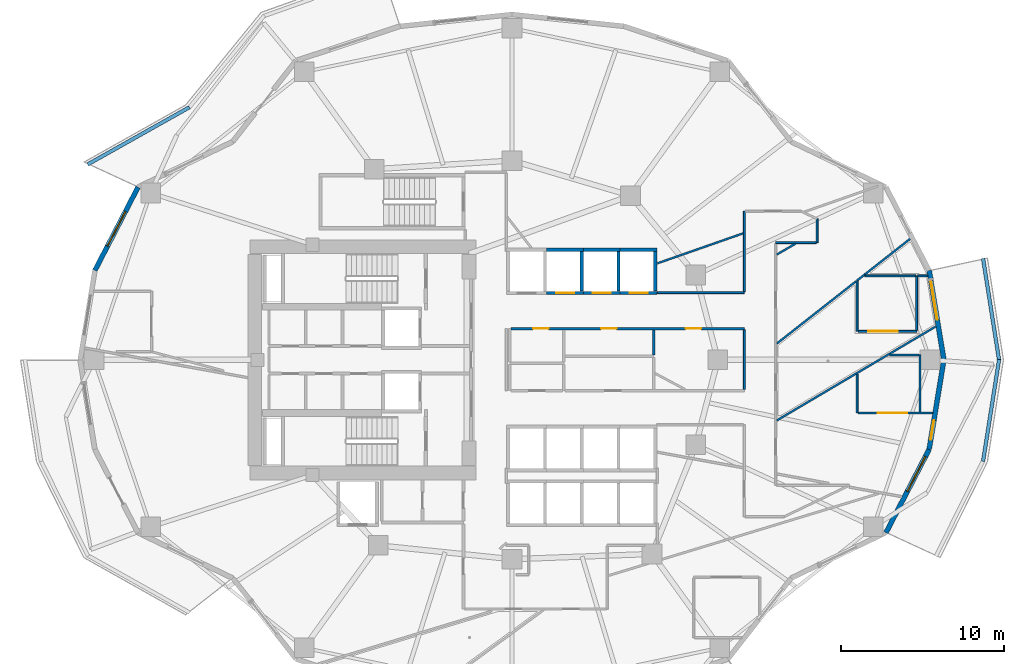
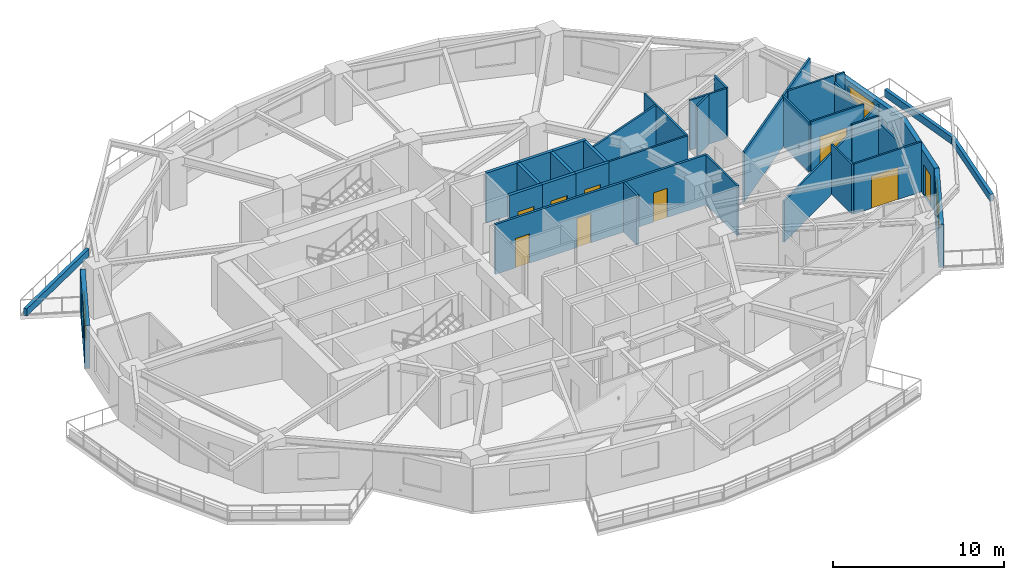
# One storey, part 6 of 16: 37 walls, 9 doors, 3 windows, 12 openings.
"""IFC4 building model written with IfcOpenShell, lengths in metres."""

import ifcopenshell
import ifcopenshell.guid

model = None  # the IFC model being written
_history = None  # IfcOwnerHistory: only IFC2X3 demands one
_inside = {}  # id of a spatial element -> (the spatial element, [elements in it])
_under = {}  # id of a project, library or spatial element -> (it, [spatial elements below it])
_declared = {}  # id of a project -> (the project, [libraries it declares])
_typed = {}  # id of a type object -> (the type object, [elements of that type])
_made_of = {}  # id of a material, layer set ... -> (it, [elements and type objects made of it])


def new_model(schema):
    """Start an empty IFC model of exactly this schema.

    Asked for "IFC4X3", IfcOpenShell would pick the latest addendum, in which some entities
    have other attributes; the version numbers below select the first issue.
    IFC2X3 requires an IfcOwnerHistory on every rooted entity: one is made here for all.
    """
    global model, _history
    if schema == "IFC4X3":
        model = ifcopenshell.file(schema_version=(4, 3, 0, 0))
    else:
        model = ifcopenshell.file(schema=schema)
    _inside.clear()
    _under.clear()
    _declared.clear()
    _typed.clear()
    _made_of.clear()
    _history = None
    if model.schema == "IFC2X3":
        org = make("IfcOrganization", Name="unknown")
        user = make(
            "IfcPersonAndOrganization",
            ThePerson=make("IfcPerson", FamilyName="unknown"),
            TheOrganization=org,
        )
        app = make(
            "IfcApplication",
            ApplicationDeveloper=org,
            Version="unknown",
            ApplicationFullName="unknown",
            ApplicationIdentifier="unknown",
        )
        _history = make(
            "IfcOwnerHistory",
            OwningUser=user,
            OwningApplication=app,
            ChangeAction="ADDED",
            CreationDate=0,
        )
    return model


def make(cls, **values):
    """One entity of the class cls with the attributes given. An attribute that is None is left unset."""
    return model.create_entity(
        cls, **{name: value for name, value in values.items() if value is not None}
    )


def rooted(cls, **values):
    """An entity with a GlobalId (a new one), such as an element, a storey or a relation."""
    return make(cls, GlobalId=ifcopenshell.guid.new(), OwnerHistory=_history, **values)


def si_unit(unit_type, name, prefix=None):
    """IfcSIUnit, for example si_unit("LENGTHUNIT", "METRE", prefix="MILLI")."""
    return make("IfcSIUnit", UnitType=unit_type, Prefix=prefix, Name=name)


def assignment(units):
    """IfcUnitAssignment: the units of a project."""
    return None if units is None else make("IfcUnitAssignment", Units=units)


def point(xyz):
    """IfcCartesianPoint."""
    return None if xyz is None else make("IfcCartesianPoint", Coordinates=xyz)


def direction(xyz):
    """IfcDirection."""
    return None if xyz is None else make("IfcDirection", DirectionRatios=xyz)


def frame(location, z_axis=None, x_axis=None):
    """IfcAxis2Placement3D, a coordinate frame: its origin and axes. An axis left out is left unset."""
    return make(
        "IfcAxis2Placement3D",
        Location=point(location),
        Axis=direction(z_axis),
        RefDirection=direction(x_axis),
    )


def frame_2d(location, x_axis=None):
    """IfcAxis2Placement2D, a coordinate frame in the plane: its origin and x axis."""
    return make(
        "IfcAxis2Placement2D", Location=point(location), RefDirection=direction(x_axis)
    )


def origin():
    """The frame at (0, 0, 0) with its axes left unset."""
    return frame((0.0, 0.0, 0.0))


def place(relative_to, where):
    """IfcLocalPlacement: puts the frame where relative to a parent placement (None: the world)."""
    return make(
        "IfcLocalPlacement", PlacementRelTo=relative_to, RelativePlacement=where
    )


def context(
    kind, dimensions, precision=None, world=None, true_north=None, identifier=None
):
    """IfcGeometricRepresentationContext, for example the 3D "Model" context."""
    return make(
        "IfcGeometricRepresentationContext",
        ContextIdentifier=identifier,
        ContextType=kind,
        CoordinateSpaceDimension=dimensions,
        Precision=precision,
        WorldCoordinateSystem=world,
        TrueNorth=true_north,
    )


def subcontext(parent, identifier, kind, view, scale=None):
    """IfcGeometricRepresentationSubContext, for example "Body" below "Model"."""
    return make(
        "IfcGeometricRepresentationSubContext",
        ContextIdentifier=identifier,
        ContextType=kind,
        ParentContext=parent,
        TargetScale=scale,
        TargetView=view,
    )


def project(units=None, contexts=None):
    """IfcProject with its units and contexts."""
    return rooted(
        "IfcProject",
        Name="project",
        RepresentationContexts=contexts,
        UnitsInContext=assignment(units),
    )


def spatial(cls, under=None, at=None, **own):
    """A site, building, storey or space (cls), placed at a placement, below another one or the project."""
    s = rooted(cls, ObjectPlacement=at, **own)
    if under is not None:
        _under.setdefault(under.id(), (under, []))[1].append(s)
    return s


def profile(cls, at=None, kind="AREA", **sizes):
    """A parametric profile (cls). Its sizes go by their IFC names, for example OverallWidth=200.0."""
    return make(cls, ProfileType=kind, Position=at, **sizes)


def rectangle(**sizes):
    """IfcRectangleProfileDef."""
    return profile("IfcRectangleProfileDef", **sizes)


def extrude(swept, where, along, depth):
    """IfcExtrudedAreaSolid: the profile swept, set in the frame where, extruded along a direction by depth."""
    return make(
        "IfcExtrudedAreaSolid",
        SweptArea=swept,
        Position=where,
        ExtrudedDirection=direction(along),
        Depth=depth,
    )


def shape(context_of_items, identifier, shape_type, items):
    """IfcShapeRepresentation: the items that make up one representation, for example the "Body"."""
    return make(
        "IfcShapeRepresentation",
        ContextOfItems=context_of_items,
        RepresentationIdentifier=identifier,
        RepresentationType=shape_type,
        Items=items,
    )


def material(Name=None, Category=None):
    """IfcMaterial."""
    return make("IfcMaterial", Name=Name, Category=Category)


def layer(
    of_material, thickness, ventilated=None, Name=None, Category=None, Priority=None
):
    """IfcMaterialLayer: one layer of a wall or slab, of a material (None: an air gap)."""
    return make(
        "IfcMaterialLayer",
        Material=of_material,
        LayerThickness=thickness,
        IsVentilated=ventilated,
        Name=Name,
        Category=Category,
        Priority=Priority,
    )


def layer_set(layers, Name=None):
    """IfcMaterialLayerSet."""
    return make("IfcMaterialLayerSet", MaterialLayers=layers, LayerSetName=Name)


def made_of(thing, what):
    """Note that an element or type object is made of a material, layer set ...; save() writes the relation."""
    if what is not None:
        _made_of.setdefault(what.id(), (what, []))[1].append(thing)
    return thing


def type_object(cls, material=None, **own):
    """A type object (cls), such as IfcWallType, which elements share."""
    return made_of(rooted(cls, **own), material)


def element(
    cls,
    number,
    at=None,
    inside=None,
    cuts=None,
    type_object=None,
    material=None,
    context=None,
    identifier="Body",
    shape_type=None,
    held_by="IfcProductDefinitionShape",
    body=None,
    shapes=None,
    **own,
):
    """One element of the class cls, such as IfcWall. Its Tag is "e" and its number.

    at: its placement. inside: the storey or other place that contains it. cuts: it is an
    opening in that element (IfcRelVoidsElement). A single representation is given by context,
    identifier, shape_type and body (its items); several are given by shapes. held_by: the class
    of the entity that holds the representations. save() writes the other relations.
    """
    e = rooted(cls, Tag="e%d" % number, ObjectPlacement=at, **own)
    if body is not None:
        shapes = [shape(context, identifier, shape_type, body)]
    if shapes is not None:
        e.Representation = make(held_by, Representations=shapes)
    if inside is not None:
        _inside.setdefault(inside.id(), (inside, []))[1].append(e)
    if cuts is not None:
        rooted(
            "IfcRelVoidsElement", RelatingBuildingElement=cuts, RelatedOpeningElement=e
        )
    if type_object is not None:
        _typed.setdefault(type_object.id(), (type_object, []))[1].append(e)
    return made_of(e, material)


def fill(opening, filler):
    """IfcRelFillsElement: the door or window that sits in an opening."""
    return rooted(
        "IfcRelFillsElement",
        RelatingOpeningElement=opening,
        RelatedBuildingElement=filler,
    )


def aggregate(whole, parts):
    """IfcRelAggregates: a whole, such as a stair, and the parts it consists of."""
    return rooted("IfcRelAggregates", RelatingObject=whole, RelatedObjects=parts)


def save(model, path):
    """Write the relations noted so far, then the file.

    IfcRelAggregates (storeys below a building ...), IfcRelContainedInSpatialStructure (elements
    in a storey), IfcRelDefinesByType, IfcRelAssociatesMaterial and IfcRelDeclares: one each for
    every whole, place, type object, material and project.
    """
    for whole, parts in _under.values():
        aggregate(whole, parts)
    for where, things in _inside.values():
        rooted(
            "IfcRelContainedInSpatialStructure",
            RelatedElements=things,
            RelatingStructure=where,
        )
    for kind, things in _typed.values():
        rooted("IfcRelDefinesByType", RelatedObjects=things, RelatingType=kind)
    for what, things in _made_of.values():
        rooted("IfcRelAssociatesMaterial", RelatedObjects=things, RelatingMaterial=what)
    for by, libraries in _declared.values():
        rooted("IfcRelDeclares", RelatingContext=by, RelatedDefinitions=libraries)
    model.write(path)


model = new_model("IFC4")

# Units and contexts
model_context = context("Model", 3, precision=1e-05, world=origin(), true_north=direction((0.0, 1.0)))
body_context = subcontext(model_context, "Body", "Model", "MODEL_VIEW")
ifc_project = project(units=[si_unit("LENGTHUNIT", "METRE"), si_unit("AREAUNIT", "SQUARE_METRE"), si_unit("VOLUMEUNIT", "CUBIC_METRE"), si_unit("PLANEANGLEUNIT", "RADIAN"), si_unit("MASSUNIT", "GRAM", prefix="KILO")], contexts=[model_context])

# Site, building, storey
site_placement = place(None, origin())
site = spatial("IfcSite", under=ifc_project, at=site_placement, CompositionType="ELEMENT")
building_placement = place(site_placement, origin())
building = spatial("IfcBuilding", under=site, at=building_placement, Name="Kolvaren Gate Tower and Convention Centre", CompositionType="ELEMENT")
storey_placement = place(building_placement, frame((0.0, 0.0, 65.0)))
storey = spatial("IfcBuildingStorey", under=building, at=storey_placement, Name="L15", CompositionType="ELEMENT", Elevation=65.0)

# Walls
ifc_material_1 = material(Name="Fire-Rated Acoustic Gypsum Stud Partition", Category="gypsum")
ifc_layer_1 = layer(ifc_material_1, 0.1201171875)
ifc_layer_set_1 = layer_set([ifc_layer_1], Name="Fire-Rated Acoustic Gypsum Stud Partition")
wall_type_1 = type_object("IfcWallType", Name="ARCH-WL-PART-120", PredefinedType="PARTITIONING", material=ifc_layer_set_1)
wall_1_placement = place(storey_placement, frame((39.02001953125, 31.1201171875, 0.0), z_axis=(0.0, 0.0, 1.0), x_axis=(1.0, 0.0, 0.0)))
element("IfcWall", 1, at=wall_1_placement, inside=storey, type_object=wall_type_1, Name="Interior Partition WL-L15-INT-031", PredefinedType="PARTITIONING", context=body_context, shape_type="SweptSolid", body=[
    extrude(rectangle(XDim=5.330078125, YDim=0.1201171875, at=frame_2d((2.6650390625, 0.0))), origin(), (0.0, 0.0, 1.0), 3.570068359375),
])
wall_2_placement = place(storey_placement, frame((44.35009765625, 25.197021484375, 0.0), z_axis=(0.0, 0.0, 1.0), x_axis=(0.0, 1.0, 0.0)))
element("IfcWall", 2, at=wall_2_placement, inside=storey, type_object=wall_type_1, Name="Interior Partition WL-L15-INT-033", PredefinedType="PARTITIONING", context=body_context, shape_type="SweptSolid", body=[
    extrude(rectangle(XDim=3.64599609375, YDim=0.1201171875, at=frame_2d((1.822998046875, 0.0))), origin(), (0.0, 0.0, 1.0), 3.570068359375),
])
wall_3_placement = place(storey_placement, frame((44.35009765625, 31.181884765625, 0.0), z_axis=(0.0, 0.0, 1.0), x_axis=(0.0, 1.0, 0.0)))
element("IfcWall", 3, at=wall_3_placement, inside=storey, type_object=wall_type_1, Name="Interior Partition WL-L15-INT-034", PredefinedType="PARTITIONING", context=body_context, shape_type="SweptSolid", body=[
    extrude(rectangle(XDim=4.918212890625, YDim=0.1201171875, at=frame_2d((2.458984375, 0.0))), origin(), (0.0, 0.0, 1.0), 3.570068359375),
])
wall_4_placement = place(storey_placement, frame((48.800048828125, 34.179931640625, 0.0), z_axis=(0.0, 0.0, 1.0), x_axis=(0.0, 1.0, 0.0)))
element("IfcWall", 4, at=wall_4_placement, inside=storey, type_object=wall_type_1, Name="Interior Partition WL-L15-INT-037", PredefinedType="PARTITIONING", context=body_context, shape_type="SweptSolid", body=[
    extrude(rectangle(XDim=1.451171875, YDim=0.1201171875, at=frame_2d((0.7255859375, 0.0))), origin(), (0.0, 0.0, 1.0), 3.570068359375),
])
wall_5_placement = place(storey_placement, frame((46.27001953125, 34.179931640625, 0.0), z_axis=(0.0, 0.0, 1.0), x_axis=(1.0, 0.0, 0.0)))
element("IfcWall", 5, at=wall_5_placement, inside=storey, type_object=wall_type_1, Name="Interior Partition WL-L15-INT-038", PredefinedType="PARTITIONING", context=body_context, shape_type="SweptSolid", body=[
    extrude(rectangle(XDim=2.468017578125, YDim=0.1201171875, at=frame_2d((1.23388671875, 0.0))), origin(), (0.0, 0.0, 1.0), 3.570068359375),
])
wall_6_placement = place(storey_placement, frame((46.33203125, 23.290283203125, 0.0), z_axis=(0.0, 0.0, 1.0), x_axis=(0.860842745888, 0.508871070953, 0.0)))
element("IfcWall", 6, at=wall_6_placement, inside=storey, type_object=wall_type_1, Name="Interior Partition WL-L15-INT-059", PredefinedType="PARTITIONING", context=body_context, shape_type="SweptSolid", body=[
    extrude(rectangle(XDim=11.31396484375, YDim=0.1201171875, at=frame_2d((5.656982421875, 0.0))), origin(), (0.0, 0.0, 1.0), 2.93408203125),
])
wall_7_placement = place(storey_placement, frame((51.25, 23.75, 0.0), z_axis=(0.0, 0.0, 1.0), x_axis=(0.0, 1.0, 0.0)))
element("IfcWall", 7, at=wall_7_placement, inside=storey, type_object=wall_type_1, Name="Interior Partition WL-L15-INT-060", PredefinedType="PARTITIONING", context=body_context, shape_type="SweptSolid", body=[
    extrude(rectangle(XDim=2.37548828125, YDim=0.1201171875, at=frame_2d((1.187744140625, 0.0))), origin(), (0.0, 0.0, 1.0), 3.570068359375),
])
wall_8_placement = place(storey_placement, frame((51.25, 28.75, 0.0), z_axis=(0.0, 0.0, 1.0), x_axis=(0.0, 1.0, 0.0)))
element("IfcWall", 8, at=wall_8_placement, inside=storey, type_object=wall_type_1, Name="Interior Partition WL-L15-INT-061", PredefinedType="PARTITIONING", context=body_context, shape_type="SweptSolid", body=[
    extrude(rectangle(XDim=3.110107421875, YDim=0.1201171875, at=frame_2d((1.55517578125, 0.0))), origin(), (0.0, 0.0, 1.0), 3.570068359375),
])

# Wall, opening, door
wall_9_placement = place(storey_placement, frame((51.31201171875, 23.75, 0.0), z_axis=(0.0, 0.0, 1.0), x_axis=(1.0, 0.0, 0.0)))
wall_9 = element("IfcWall", 9, at=wall_9_placement, inside=storey, type_object=wall_type_1, Name="Interior Partition WL-L15-INT-062", PredefinedType="PARTITIONING", context=body_context, shape_type="SweptSolid", body=[
    extrude(rectangle(XDim=4.5615234375, YDim=0.1201171875, at=frame_2d((2.28076171875, 0.0))), origin(), (0.0, 0.0, 1.0), 3.570068359375),
])
opening_1_placement = place(wall_9_placement, frame((1.198974609375, 0.0, 0.0)))
opening_1 = element("IfcOpeningElement", 10, at=opening_1_placement, cuts=wall_9, Name="Opening DH-01", PredefinedType="OPENING", context=body_context, shape_type="SweptSolid", body=[
    extrude(rectangle(XDim=1.800048828125, YDim=2.300048828125, at=frame_2d((0.89990234375, 1.14990234375))), frame((0.0, 0.070068359375, 0.0), z_axis=(0.0, -1.0, 0.0), x_axis=(1.0, 0.0, 0.0)), (0.0, 0.0, 1.0), 0.14013671875),
])
ifc_material_2 = material(Name="FSC Andean Oak Engineered Veneer Door Leaf", Category="wood")
door_type_1 = type_object("IfcDoorType", Name="ARCH-DR-HALL-1800", OperationType="DOUBLE_DOOR_SINGLE_SWING", PredefinedType="DOOR", material=ifc_material_2)
door_1_placement = place(opening_1_placement, origin())
door_1 = element("IfcDoor", 11, at=door_1_placement, inside=storey, type_object=door_type_1, Name="Consultation Meeting Room Door", OperationType="DOUBLE_DOOR_SINGLE_SWING", OverallHeight=2.300048828125, OverallWidth=1.800048828125, PredefinedType="DOOR", context=body_context, shape_type="SweptSolid", body=[
    extrude(rectangle(XDim=1.800048828125, YDim=2.300048828125, at=frame_2d((0.89990234375, 1.14990234375))), frame((0.0, 0.02490234375, 0.0), z_axis=(0.0, -1.0, 0.0), x_axis=(1.0, 0.0, 0.0)), (0.0, 0.0, 1.0), 0.050048828125),
])
fill(opening_1, door_1)

# Walls
wall_10_placement = place(storey_placement, frame((55.10009765625, 23.81201171875, 0.0), z_axis=(0.0, 0.0, 1.0), x_axis=(0.0, 1.0, 0.0)))
element("IfcWall", 12, at=wall_10_placement, inside=storey, type_object=wall_type_1, Name="Interior Partition WL-L15-INT-063", PredefinedType="PARTITIONING", context=body_context, shape_type="SweptSolid", body=[
    extrude(rectangle(XDim=3.488037109375, YDim=0.1201171875, at=frame_2d((1.744140625, 0.0))), origin(), (0.0, 0.0, 1.0), 3.093017578125),
])
wall_11_placement = place(storey_placement, frame((53.23681640625, 27.300048828125, 0.0), z_axis=(0.0, 0.0, 1.0), x_axis=(1.0, 0.0, 0.0)))
element("IfcWall", 13, at=wall_11_placement, inside=storey, type_object=wall_type_1, Name="Interior Partition WL-L15-INT-064", PredefinedType="PARTITIONING", context=body_context, shape_type="SweptSolid", body=[
    extrude(rectangle(XDim=1.80126953125, YDim=0.1201171875, at=frame_2d((0.900634765625, 0.0))), origin(), (0.0, 0.0, 1.0), 3.570068359375),
])
wall_12_placement = place(storey_placement, frame((46.33203125, 27.99560546875, 0.0), z_axis=(0.0, 0.0, 1.0), x_axis=(0.786296389823, 0.617849486, 0.0)))
element("IfcWall", 14, at=wall_12_placement, inside=storey, type_object=wall_type_1, Name="Interior Partition WL-L15-INT-066", PredefinedType="PARTITIONING", context=body_context, shape_type="SweptSolid", body=[
    extrude(rectangle(XDim=6.17578125, YDim=0.1201171875, at=frame_2d((3.087890625, 0.0))), origin(), (0.0, 0.0, 1.0), 3.570068359375),
])
wall_13_placement = place(storey_placement, frame((51.25, 31.860107421875, 0.0), z_axis=(0.0, 0.0, 1.0), x_axis=(0.786318338822, 0.617821551932, 0.0)))
element("IfcWall", 15, at=wall_13_placement, inside=storey, type_object=wall_type_1, Name="Interior Partition WL-L15-INT-066 (2)", PredefinedType="PARTITIONING", context=body_context, shape_type="SweptSolid", body=[
    extrude(rectangle(XDim=4.120849609375, YDim=0.1201171875, at=frame_2d((2.060546875, 0.0))), origin(), (0.0, 0.0, 1.0), 3.570068359375),
])

# Wall, opening, door
wall_14_placement = place(storey_placement, frame((51.31201171875, 28.75, 0.0), z_axis=(0.0, 0.0, 1.0), x_axis=(1.0, 0.0, 0.0)))
wall_14 = element("IfcWall", 16, at=wall_14_placement, inside=storey, type_object=wall_type_1, Name="Interior Partition WL-L15-INT-067", PredefinedType="PARTITIONING", context=body_context, shape_type="SweptSolid", body=[
    extrude(rectangle(XDim=3.587890625, YDim=0.1201171875, at=frame_2d((1.7939453125, 0.0))), origin(), (0.0, 0.0, 1.0), 3.570068359375),
])
opening_2_placement = place(wall_14_placement, frame((0.614013671875, 0.0, 0.0)))
opening_2 = element("IfcOpeningElement", 17, at=opening_2_placement, cuts=wall_14, Name="Opening DH-01", PredefinedType="OPENING", context=body_context, shape_type="SweptSolid", body=[
    extrude(rectangle(XDim=1.800048828125, YDim=2.300048828125, at=frame_2d((0.89990234375, 1.14990234375))), frame((0.0, 0.070068359375, 0.0), z_axis=(0.0, -1.0, 0.0), x_axis=(1.0, 0.0, 0.0)), (0.0, 0.0, 1.0), 0.14013671875),
])
door_2_placement = place(opening_2_placement, origin())
door_2 = element("IfcDoor", 18, at=door_2_placement, inside=storey, type_object=door_type_1, Name="Consultation Meeting Room Door", OperationType="DOUBLE_DOOR_SINGLE_SWING", OverallHeight=2.300048828125, OverallWidth=1.800048828125, PredefinedType="DOOR", context=body_context, shape_type="SweptSolid", body=[
    extrude(rectangle(XDim=1.800048828125, YDim=2.300048828125, at=frame_2d((0.89990234375, 1.14990234375))), frame((0.0, 0.02490234375, 0.0), z_axis=(0.0, -1.0, 0.0), x_axis=(1.0, 0.0, 0.0)), (0.0, 0.0, 1.0), 0.050048828125),
])
fill(opening_2, door_2)

# Walls
wall_15_placement = place(storey_placement, frame((54.89990234375, 28.81201171875, 0.0), z_axis=(0.0, 0.0, 1.0), x_axis=(0.0, 1.0, 0.0)))
element("IfcWall", 19, at=wall_15_placement, inside=storey, type_object=wall_type_1, Name="Interior Partition WL-L15-INT-068", PredefinedType="PARTITIONING", context=body_context, shape_type="SweptSolid", body=[
    extrude(rectangle(XDim=3.337890625, YDim=0.1201171875, at=frame_2d((1.6689453125, 0.0))), origin(), (0.0, 0.0, 1.0), 3.093017578125),
])
wall_16_placement = place(storey_placement, frame((51.719482421875, 32.14990234375, 0.0), z_axis=(0.0, 0.0, 1.0), x_axis=(1.0, 0.0, 0.0)))
element("IfcWall", 20, at=wall_16_placement, inside=storey, type_object=wall_type_1, Name="Interior Partition WL-L15-INT-069", PredefinedType="PARTITIONING", context=body_context, shape_type="SweptSolid", body=[
    extrude(rectangle(XDim=3.118408203125, YDim=0.1201171875, at=frame_2d((1.55908203125, 0.0))), origin(), (0.0, 0.0, 1.0), 3.570068359375),
])
wall_17_placement = place(storey_placement, frame((54.9619140625, 32.14990234375, 0.0), z_axis=(0.0, 0.0, 1.0), x_axis=(1.0, 0.0, 0.0)))
element("IfcWall", 21, at=wall_17_placement, inside=storey, type_object=wall_type_1, Name="Interior Partition WL-L15-INT-069 (2)", PredefinedType="PARTITIONING", context=body_context, shape_type="SweptSolid", body=[
    extrude(rectangle(XDim=0.59912109375, YDim=0.1201171875, at=frame_2d((0.299560546875, 0.0))), origin(), (0.0, 0.0, 1.0), 3.570068359375),
])
wall_18_placement = place(storey_placement, frame((46.33203125, 33.44970703125, 0.0), z_axis=(0.0, 0.0, 1.0), x_axis=(0.866042617247, 0.499970184224, 0.0)))
element("IfcWall", 22, at=wall_18_placement, inside=storey, type_object=wall_type_1, Name="Interior Partition WL-L15-INT-070", PredefinedType="PARTITIONING", context=body_context, shape_type="SweptSolid", body=[
    extrude(rectangle(XDim=1.33642578125, YDim=0.1201171875, at=frame_2d((0.668212890625, 0.0))), origin(), (0.0, 0.0, 1.0), 3.570068359375),
])
wall_19_placement = place(storey_placement, frame((39.02001953125, 32.90771484375, 0.0), z_axis=(0.0, 0.0, 1.0), x_axis=(0.943794240421, 0.330533556162, 0.0)))
element("IfcWall", 23, at=wall_19_placement, inside=storey, type_object=wall_type_1, Name="Interior Partition WL-L15-INT-071", PredefinedType="PARTITIONING", context=body_context, shape_type="SweptSolid", body=[
    extrude(rectangle(XDim=5.581787109375, YDim=0.1201171875, at=frame_2d((2.791015625, 0.0))), origin(), (0.0, 0.0, 1.0), 3.570068359375),
])
ifc_material_3 = material(Name="Piedmont Cream Honed Limestone Cladding", Category="masonry")
ifc_layer_2 = layer(ifc_material_3, 0.219970703125)
ifc_layer_set_2 = layer_set([ifc_layer_2], Name="Piedmont Cream Honed Limestone Cladding")
wall_type_2 = type_object("IfcWallType", Name="ARCH-WL-PLANTER-220", PredefinedType="PARAPET", material=ifc_layer_set_2)
wall_20_placement = place(storey_placement, frame((4.14697265625, 38.965576171875, 0.0), z_axis=(0.0, 0.0, 1.0), x_axis=(0.871775109335, 0.489906275468, 0.0)))
element("IfcWall", 24, at=wall_20_placement, inside=storey, type_object=wall_type_2, Name="Vertical-Forest Balcony Stone Planter Kerb PK-L15-1.3", PredefinedType="PARAPET", context=body_context, shape_type="SweptSolid", body=[
    extrude(rectangle(XDim=7.152099609375, YDim=0.219970703125, at=frame_2d((3.576171875, 0.0))), origin(), (0.0, 0.0, 1.0), 0.52001953125),
])
for number, where, z_axis, x_axis, name in (
    (25, (58.9619140625, 20.7880859375, 0.0), (0.0, 0.0, 1.0), (0.15545655238, 0.987842730561, 0.0), "Vertical-Forest Balcony Stone Planter Kerb PK-L15-4.2"),
    (26, (58.9619140625, 33.2119140625, 0.0), (0.0, 0.0, 1.0), (0.15545655238, -0.987842730561, 0.0), "Vertical-Forest Balcony Stone Planter Kerb PK-L15-4.3"),
):
    element("IfcWall", number, at=place(storey_placement, frame(where, z_axis=z_axis, x_axis=x_axis)), inside=storey, type_object=wall_type_2, Name=name, PredefinedType="PARAPET", context=body_context, shape_type="SweptSolid", body=[
        extrude(rectangle(XDim=6.318115234375, YDim=0.219970703125, at=frame_2d((3.1591796875, 0.0))), origin(), (0.0, 0.0, 1.0), 0.52001953125),
    ])
ifc_material_4 = material(Name="Autoclaved Aerated Masonry Blockwork Class 4 (4.0 MPa)", Category="masonry")
ifc_layer_3 = layer(ifc_material_4, 0.199951171875)
ifc_layer_set_3 = layer_set([ifc_layer_3], Name="Autoclaved Aerated Masonry Blockwork Class 4 (4.0 MPa)")
wall_type_3 = type_object("IfcWallType", Name="ARCH-WL-SHAFT-200", PredefinedType="SOLIDWALL", material=ifc_layer_set_3)
wall_21_placement = place(storey_placement, frame((32.25, 33.75, 0.0), z_axis=(0.0, 0.0, 1.0), x_axis=(1.0, 0.0, 0.0)))
element("IfcWall", 27, at=wall_21_placement, inside=storey, type_object=wall_type_3, Name="Elevator PL-02 L15 Fire Shaft Wall N", PredefinedType="SOLIDWALL", context=body_context, shape_type="SweptSolid", body=[
    extrude(rectangle(XDim=2.25, YDim=0.199951171875, at=frame_2d((1.125, 0.0))), origin(), (0.0, 0.0, 1.0), 3.570068359375),
])

# Wall, opening, door
wall_22_placement = place(storey_placement, frame((32.25, 31.10009765625, 0.0), z_axis=(0.0, 0.0, 1.0), x_axis=(1.0, 0.0, 0.0)))
wall_22 = element("IfcWall", 28, at=wall_22_placement, inside=storey, type_object=wall_type_3, Name="Elevator PL-02 L15 Fire Shaft Wall S", PredefinedType="SOLIDWALL", context=body_context, shape_type="SweptSolid", body=[
    extrude(rectangle(XDim=2.25, YDim=0.199951171875, at=frame_2d((1.125, 0.0))), origin(), (0.0, 0.0, 1.0), 3.570068359375),
])
opening_3_placement = place(wall_22_placement, frame((0.574951171875, 0.0, 0.0)))
opening_3 = element("IfcOpeningElement", 29, at=opening_3_placement, cuts=wall_22, Name="Opening LD", PredefinedType="OPENING", context=body_context, shape_type="SweptSolid", body=[
    extrude(rectangle(XDim=1.10009765625, YDim=2.199951171875, at=frame_2d((0.550048828125, 1.10009765625))), frame((0.0, 0.10986328125, 0.0), z_axis=(0.0, -1.0, 0.0), x_axis=(1.0, 0.0, 0.0)), (0.0, 0.0, 1.0), 0.219970703125),
])
ifc_material_5 = material(Name="Brushed Stainless Steel Grade 316L", Category="steel")
door_type_2 = type_object("IfcDoorType", Name="ARCH-DR-LIFT-1100", OperationType="SLIDING_TO_LEFT", PredefinedType="DOOR", material=ifc_material_5)
door_3_placement = place(opening_3_placement, origin())
door_3 = element("IfcDoor", 30, at=door_3_placement, inside=storey, type_object=door_type_2, Name="Elevator PL-02 L15 Sliding Landing Door", OperationType="SLIDING_TO_LEFT", OverallHeight=2.199951171875, OverallWidth=1.10009765625, PredefinedType="DOOR", context=body_context, shape_type="SweptSolid", body=[
    extrude(rectangle(XDim=1.10009765625, YDim=2.199951171875, at=frame_2d((0.550048828125, 1.10009765625))), frame((0.0, 0.02490234375, 0.0), z_axis=(0.0, -1.0, 0.0), x_axis=(1.0, 0.0, 0.0)), (0.0, 0.0, 1.0), 0.050048828125),
])
fill(opening_3, door_3)

# Walls
wall_23_placement = place(storey_placement, frame((34.39990234375, 31.2099609375, 0.0), z_axis=(0.0, 0.0, 1.0), x_axis=(0.0, 1.0, 0.0)))
element("IfcWall", 31, at=wall_23_placement, inside=storey, type_object=wall_type_3, Name="Elevator PL-02 L15 Fire Shaft Wall E", PredefinedType="SOLIDWALL", context=body_context, shape_type="SweptSolid", body=[
    extrude(rectangle(XDim=2.429931640625, YDim=0.199951171875, at=frame_2d((1.21484375, 0.0))), origin(), (0.0, 0.0, 1.0), 3.570068359375),
])
wall_24_placement = place(storey_placement, frame((34.5, 33.75, 0.0), z_axis=(0.0, 0.0, 1.0), x_axis=(1.0, 0.0, 0.0)))
element("IfcWall", 32, at=wall_24_placement, inside=storey, type_object=wall_type_3, Name="Elevator PL-03 L15 Fire Shaft Wall N", PredefinedType="SOLIDWALL", context=body_context, shape_type="SweptSolid", body=[
    extrude(rectangle(XDim=2.25, YDim=0.199951171875, at=frame_2d((1.125, 0.0))), origin(), (0.0, 0.0, 1.0), 3.570068359375),
])

# Wall, opening, door
wall_25_placement = place(storey_placement, frame((34.5, 31.10009765625, 0.0), z_axis=(0.0, 0.0, 1.0), x_axis=(1.0, 0.0, 0.0)))
wall_25 = element("IfcWall", 33, at=wall_25_placement, inside=storey, type_object=wall_type_3, Name="Elevator PL-03 L15 Fire Shaft Wall S", PredefinedType="SOLIDWALL", context=body_context, shape_type="SweptSolid", body=[
    extrude(rectangle(XDim=2.25, YDim=0.199951171875, at=frame_2d((1.125, 0.0))), origin(), (0.0, 0.0, 1.0), 3.570068359375),
])
opening_4_placement = place(wall_25_placement, frame((0.574951171875, 0.0, 0.0)))
opening_4 = element("IfcOpeningElement", 34, at=opening_4_placement, cuts=wall_25, Name="Opening LD", PredefinedType="OPENING", context=body_context, shape_type="SweptSolid", body=[
    extrude(rectangle(XDim=1.10009765625, YDim=2.199951171875, at=frame_2d((0.550048828125, 1.10009765625))), frame((0.0, 0.10986328125, 0.0), z_axis=(0.0, -1.0, 0.0), x_axis=(1.0, 0.0, 0.0)), (0.0, 0.0, 1.0), 0.219970703125),
])
door_4_placement = place(opening_4_placement, origin())
door_4 = element("IfcDoor", 35, at=door_4_placement, inside=storey, type_object=door_type_2, Name="Elevator PL-03 L15 Sliding Landing Door", OperationType="SLIDING_TO_LEFT", OverallHeight=2.199951171875, OverallWidth=1.10009765625, PredefinedType="DOOR", context=body_context, shape_type="SweptSolid", body=[
    extrude(rectangle(XDim=1.10009765625, YDim=2.199951171875, at=frame_2d((0.550048828125, 1.10009765625))), frame((0.0, 0.02490234375, 0.0), z_axis=(0.0, -1.0, 0.0), x_axis=(1.0, 0.0, 0.0)), (0.0, 0.0, 1.0), 0.050048828125),
])
fill(opening_4, door_4)

# Walls
wall_26_placement = place(storey_placement, frame((36.64990234375, 31.2099609375, 0.0), z_axis=(0.0, 0.0, 1.0), x_axis=(0.0, 1.0, 0.0)))
element("IfcWall", 36, at=wall_26_placement, inside=storey, type_object=wall_type_3, Name="Elevator PL-03 L15 Fire Shaft Wall E", PredefinedType="SOLIDWALL", context=body_context, shape_type="SweptSolid", body=[
    extrude(rectangle(XDim=2.429931640625, YDim=0.199951171875, at=frame_2d((1.21484375, 0.0))), origin(), (0.0, 0.0, 1.0), 3.570068359375),
])
wall_27_placement = place(storey_placement, frame((36.75, 33.75, 0.0), z_axis=(0.0, 0.0, 1.0), x_axis=(1.0, 0.0, 0.0)))
element("IfcWall", 37, at=wall_27_placement, inside=storey, type_object=wall_type_3, Name="Elevator PL-04 L15 Fire Shaft Wall N", PredefinedType="SOLIDWALL", context=body_context, shape_type="SweptSolid", body=[
    extrude(rectangle(XDim=2.25, YDim=0.199951171875, at=frame_2d((1.125, 0.0))), origin(), (0.0, 0.0, 1.0), 3.570068359375),
])

# Wall, opening, door
wall_28_placement = place(storey_placement, frame((36.75, 31.10009765625, 0.0), z_axis=(0.0, 0.0, 1.0), x_axis=(1.0, 0.0, 0.0)))
wall_28 = element("IfcWall", 38, at=wall_28_placement, inside=storey, type_object=wall_type_3, Name="Elevator PL-04 L15 Fire Shaft Wall S", PredefinedType="SOLIDWALL", context=body_context, shape_type="SweptSolid", body=[
    extrude(rectangle(XDim=2.25, YDim=0.199951171875, at=frame_2d((1.125, 0.0))), origin(), (0.0, 0.0, 1.0), 3.570068359375),
])
opening_5_placement = place(wall_28_placement, frame((0.574951171875, 0.0, 0.0)))
opening_5 = element("IfcOpeningElement", 39, at=opening_5_placement, cuts=wall_28, Name="Opening LD", PredefinedType="OPENING", context=body_context, shape_type="SweptSolid", body=[
    extrude(rectangle(XDim=1.10009765625, YDim=2.199951171875, at=frame_2d((0.550048828125, 1.10009765625))), frame((0.0, 0.10986328125, 0.0), z_axis=(0.0, -1.0, 0.0), x_axis=(1.0, 0.0, 0.0)), (0.0, 0.0, 1.0), 0.219970703125),
])
door_5_placement = place(opening_5_placement, origin())
door_5 = element("IfcDoor", 40, at=door_5_placement, inside=storey, type_object=door_type_2, Name="Elevator PL-04 L15 Sliding Landing Door", OperationType="SLIDING_TO_LEFT", OverallHeight=2.199951171875, OverallWidth=1.10009765625, PredefinedType="DOOR", context=body_context, shape_type="SweptSolid", body=[
    extrude(rectangle(XDim=1.10009765625, YDim=2.199951171875, at=frame_2d((0.550048828125, 1.10009765625))), frame((0.0, 0.02490234375, 0.0), z_axis=(0.0, -1.0, 0.0), x_axis=(1.0, 0.0, 0.0)), (0.0, 0.0, 1.0), 0.050048828125),
])
fill(opening_5, door_5)

# Wall
wall_29_placement = place(storey_placement, frame((38.89990234375, 31.2099609375, 0.0), z_axis=(0.0, 0.0, 1.0), x_axis=(0.0, 1.0, 0.0)))
element("IfcWall", 41, at=wall_29_placement, inside=storey, type_object=wall_type_3, Name="Elevator PL-04 L15 Fire Shaft Wall E", PredefinedType="SOLIDWALL", context=body_context, shape_type="SweptSolid", body=[
    extrude(rectangle(XDim=2.429931640625, YDim=0.199951171875, at=frame_2d((1.21484375, 0.0))), origin(), (0.0, 0.0, 1.0), 3.570068359375),
])

# Wall, opening, window
ifc_layer_4 = layer(ifc_material_3, 0.300048828125)
ifc_layer_set_4 = layer_set([ifc_layer_4], Name="Piedmont Cream Honed Limestone Cladding")
wall_type_4 = type_object("IfcWallType", Name="ARCH-WL-STONE-300", PredefinedType="SOLIDWALL", material=ifc_layer_set_4)
wall_30_placement = place(storey_placement, frame((55.66162109375, 32.47412109375, 0.0), z_axis=(0.0, 0.0, 1.0), x_axis=(0.162386212206, -0.986727276447, 0.0)))
wall_30 = element("IfcWall", 42, at=wall_30_placement, inside=storey, type_object=wall_type_4, Name="Tower L15 Honed Stone Spandrel Wall EW-00", PredefinedType="SOLIDWALL", context=body_context, shape_type="SweptSolid", body=[
    extrude(rectangle(XDim=5.5478515625, YDim=0.300048828125, at=frame_2d((2.77392578125, 0.0))), origin(), (0.0, 0.0, 1.0), 3.093017578125),
])
opening_6_placement = place(wall_30_placement, frame((0.64990234375, 0.0, 0.85009765625)))
opening_6 = element("IfcOpeningElement", 43, at=opening_6_placement, cuts=wall_30, Name="Opening W-01", PredefinedType="OPENING", context=body_context, shape_type="SweptSolid", body=[
    extrude(rectangle(XDim=2.39990234375, YDim=1.89990234375, at=frame_2d((1.199951171875, 0.949951171875))), frame((0.0, 0.159912109375, 0.0), z_axis=(0.0, -1.0, 0.0), x_axis=(1.0, 0.0, 0.0)), (0.0, 0.0, 1.0), 0.320068359375),
])
ifc_material_6 = material(Name="Low-E Triple Insulated Glazing Unit 44 mm", Category="glass")
window_type = type_object("IfcWindowType", Name="ARCH-WN-OFF-2400", PartitioningType="SINGLE_PANEL", PredefinedType="WINDOW", material=ifc_material_6)
window_1_placement = place(opening_6_placement, origin())
window_1 = element("IfcWindow", 44, at=window_1_placement, inside=storey, type_object=window_type, Name="Tower L15 Punched Stone Facade Window W-00", OverallHeight=1.89990234375, OverallWidth=2.39990234375, PartitioningType="SINGLE_PANEL", PredefinedType="WINDOW", context=body_context, shape_type="SweptSolid", body=[
    extrude(rectangle(XDim=2.39990234375, YDim=1.89990234375, at=frame_2d((1.199951171875, 0.949951171875))), frame((0.0, 0.030029296875, 0.0), z_axis=(0.0, -1.0, 0.0), x_axis=(1.0, 0.0, 0.0)), (0.0, 0.0, 1.0), 0.06005859375),
])
fill(opening_6, window_1)

wall_31_placement = place(storey_placement, frame((4.58837890625, 32.47412109375, 0.0), z_axis=(0.0, 0.0, 1.0), x_axis=(0.459800981414, 0.888021991558, 0.0)))
wall_31 = element("IfcWall", 45, at=wall_31_placement, inside=storey, type_object=wall_type_4, Name="Tower L15 Honed Stone Spandrel Wall EW-10", PredefinedType="SOLIDWALL", context=body_context, shape_type="SweptSolid", body=[
    extrude(rectangle(XDim=5.744140625, YDim=0.300048828125, at=frame_2d((2.8720703125, 0.0))), origin(), (0.0, 0.0, 1.0), 3.093017578125),
])
opening_7_placement = place(wall_31_placement, frame((1.672119140625, 0.0, 0.85009765625)))
opening_7 = element("IfcOpeningElement", 46, at=opening_7_placement, cuts=wall_31, Name="Opening W-01", PredefinedType="OPENING", context=body_context, shape_type="SweptSolid", body=[
    extrude(rectangle(XDim=2.39990234375, YDim=1.89990234375, at=frame_2d((1.199951171875, 0.949951171875))), frame((0.0, 0.159912109375, 0.0), z_axis=(0.0, -1.0, 0.0), x_axis=(1.0, 0.0, 0.0)), (0.0, 0.0, 1.0), 0.320068359375),
])
window_2_placement = place(opening_7_placement, origin())
window_2 = element("IfcWindow", 47, at=window_2_placement, inside=storey, type_object=window_type, Name="Tower L15 Punched Stone Facade Window W-10", OverallHeight=1.89990234375, OverallWidth=2.39990234375, PartitioningType="SINGLE_PANEL", PredefinedType="WINDOW", context=body_context, shape_type="SweptSolid", body=[
    extrude(rectangle(XDim=2.39990234375, YDim=1.89990234375, at=frame_2d((1.199951171875, 0.949951171875))), frame((0.0, 0.030029296875, 0.0), z_axis=(0.0, -1.0, 0.0), x_axis=(1.0, 0.0, 0.0)), (0.0, 0.0, 1.0), 0.06005859375),
])
fill(opening_7, window_2)

wall_32_placement = place(storey_placement, frame((53.0205078125, 16.425048828125, 0.0), z_axis=(0.0, 0.0, 1.0), x_axis=(0.459800981414, 0.888021991558, 0.0)))
wall_32 = element("IfcWall", 48, at=wall_32_placement, inside=storey, type_object=wall_type_4, Name="Tower L15 Honed Stone Spandrel Wall EW-22", PredefinedType="SOLIDWALL", context=body_context, shape_type="SweptSolid", body=[
    extrude(rectangle(XDim=5.744140625, YDim=0.300048828125, at=frame_2d((2.8720703125, 0.0))), origin(), (0.0, 0.0, 1.0), 3.093017578125),
])
opening_8_placement = place(wall_32_placement, frame((2.85009765625, 0.0, 0.85009765625)))
opening_8 = element("IfcOpeningElement", 49, at=opening_8_placement, cuts=wall_32, Name="Opening W-01", PredefinedType="OPENING", context=body_context, shape_type="SweptSolid", body=[
    extrude(rectangle(XDim=2.39990234375, YDim=1.89990234375, at=frame_2d((1.199951171875, 0.949951171875))), frame((0.0, 0.159912109375, 0.0), z_axis=(0.0, -1.0, 0.0), x_axis=(1.0, 0.0, 0.0)), (0.0, 0.0, 1.0), 0.320068359375),
])
window_3_placement = place(opening_8_placement, origin())
window_3 = element("IfcWindow", 50, at=window_3_placement, inside=storey, type_object=window_type, Name="Tower L15 Punched Stone Facade Window W-22", OverallHeight=1.89990234375, OverallWidth=2.39990234375, PartitioningType="SINGLE_PANEL", PredefinedType="WINDOW", context=body_context, shape_type="SweptSolid", body=[
    extrude(rectangle(XDim=2.39990234375, YDim=1.89990234375, at=frame_2d((1.199951171875, 0.949951171875))), frame((0.0, 0.030029296875, 0.0), z_axis=(0.0, -1.0, 0.0), x_axis=(1.0, 0.0, 0.0)), (0.0, 0.0, 1.0), 0.06005859375),
])
fill(opening_8, window_3)

# Wall, opening, door
wall_33_placement = place(storey_placement, frame((55.66162109375, 21.52587890625, 0.0), z_axis=(0.0, 0.0, 1.0), x_axis=(0.162386212206, 0.986727276447, 0.0)))
wall_33 = element("IfcWall", 51, at=wall_33_placement, inside=storey, type_object=wall_type_4, Name="Tower L15 Honed Stone Spandrel Wall EW-23", PredefinedType="SOLIDWALL", context=body_context, shape_type="SweptSolid", body=[
    extrude(rectangle(XDim=5.5478515625, YDim=0.300048828125, at=frame_2d((2.77392578125, 0.0))), origin(), (0.0, 0.0, 1.0), 3.093017578125),
])
opening_9_placement = place(wall_33_placement, frame((0.60009765625, 0.0, 0.0)))
opening_9 = element("IfcOpeningElement", 52, at=opening_9_placement, cuts=wall_33, Name="Opening DB-02", PredefinedType="OPENING", context=body_context, shape_type="SweptSolid", body=[
    extrude(rectangle(XDim=1.199951171875, YDim=2.199951171875, at=frame_2d((0.60009765625, 1.10009765625))), frame((0.0, 0.159912109375, 0.0), z_axis=(0.0, -1.0, 0.0), x_axis=(1.0, 0.0, 0.0)), (0.0, 0.0, 1.0), 0.320068359375),
])
ifc_material_7 = material(Name="Anodized Architectural Aluminium Alloy 6063-T6", Category="aluminium")
door_type_3 = type_object("IfcDoorType", Name="ARCH-DR-BALC-1200", OperationType="NOTDEFINED", PredefinedType="DOOR", material=ifc_material_7)
door_6_placement = place(opening_9_placement, frame((1.199951171875, 0.0, 0.0), z_axis=(0.0, 0.0, 1.0), x_axis=(-1.0, 0.0, 0.0)))
door_6 = element("IfcDoor", 53, at=door_6_placement, inside=storey, type_object=door_type_3, Name="Planted Sky Terrace Access Door DB-L15-23", OperationType="SLIDING_TO_LEFT", OverallHeight=2.199951171875, OverallWidth=1.199951171875, PredefinedType="DOOR", context=body_context, shape_type="SweptSolid", body=[
    extrude(rectangle(XDim=1.199951171875, YDim=2.199951171875, at=frame_2d((0.60009765625, 1.10009765625))), frame((0.0, 0.02490234375, 0.0), z_axis=(0.0, -1.0, 0.0), x_axis=(1.0, 0.0, 0.0)), (0.0, 0.0, 1.0), 0.050048828125),
])
fill(opening_9, door_6)

# Wall, openings, doors
ifc_material_8 = material(Name="Moisture-Resistant Cement-Board Acoustic Partition", Category="gypsum")
ifc_layer_5 = layer(ifc_material_8, 0.14990234375)
ifc_layer_set_5 = layer_set([ifc_layer_5], Name="Moisture-Resistant Cement-Board Acoustic Partition")
wall_type_5 = type_object("IfcWallType", Name="ARCH-WL-WET-150", PredefinedType="PARTITIONING", material=ifc_layer_set_5)
wall_34_placement = place(storey_placement, frame((30.076904296875, 28.919921875, 0.0), z_axis=(0.0, 0.0, 1.0), x_axis=(1.0, 0.0, 0.0)))
wall_34 = element("IfcWall", 54, at=wall_34_placement, inside=storey, type_object=wall_type_5, Name="Interior Partition WL-L15-INT-017", PredefinedType="PARTITIONING", context=body_context, shape_type="SweptSolid", body=[
    extrude(rectangle(XDim=14.273193359375, YDim=0.14990234375, at=frame_2d((7.13671875, 0.0))), origin(), (0.0, 0.0, 1.0), 3.570068359375),
])
opening_10_placement = place(wall_34_placement, frame((1.341552734375, 0.0, 0.0)))
opening_10 = element("IfcOpeningElement", 55, at=opening_10_placement, cuts=wall_34, Name="Opening DR-01", PredefinedType="OPENING", context=body_context, shape_type="SweptSolid", body=[
    extrude(rectangle(XDim=0.949951171875, YDim=2.10009765625, at=frame_2d((0.47509765625, 1.050048828125))), frame((0.0, 0.0849609375, 0.0), z_axis=(0.0, -1.0, 0.0), x_axis=(1.0, 0.0, 0.0)), (0.0, 0.0, 1.0), 0.169921875),
])
opening_11_placement = place(wall_34_placement, frame((5.498046875, 0.0, 0.0)))
opening_11 = element("IfcOpeningElement", 56, at=opening_11_placement, cuts=wall_34, Name="Opening DR-01", PredefinedType="OPENING", context=body_context, shape_type="SweptSolid", body=[
    extrude(rectangle(XDim=0.949951171875, YDim=2.10009765625, at=frame_2d((0.47509765625, 1.050048828125))), frame((0.0, 0.0849609375, 0.0), z_axis=(0.0, -1.0, 0.0), x_axis=(1.0, 0.0, 0.0)), (0.0, 0.0, 1.0), 0.169921875),
])
opening_12_placement = place(wall_34_placement, frame((10.677978515625, 0.0, 0.0)))
opening_12 = element("IfcOpeningElement", 57, at=opening_12_placement, cuts=wall_34, Name="Opening DR-01", PredefinedType="OPENING", context=body_context, shape_type="SweptSolid", body=[
    extrude(rectangle(XDim=0.949951171875, YDim=2.10009765625, at=frame_2d((0.47509765625, 1.050048828125))), frame((0.0, 0.0849609375, 0.0), z_axis=(0.0, -1.0, 0.0), x_axis=(1.0, 0.0, 0.0)), (0.0, 0.0, 1.0), 0.169921875),
])
ifc_material_9 = material(Name="Painted Architectural Steelwork ASTM A500 Grade C 345 MPa", Category="steel")
door_type_4 = type_object("IfcDoorType", Name="ARCH-DR-RISER-950", OperationType="SINGLE_SWING_RIGHT", PredefinedType="DOOR", material=ifc_material_9)
door_7_placement = place(opening_10_placement, origin())
door_7 = element("IfcDoor", 58, at=door_7_placement, inside=storey, type_object=door_type_4, Name="Accessible North Washroom Door", OperationType="SINGLE_SWING_RIGHT", OverallHeight=2.10009765625, OverallWidth=0.949951171875, PredefinedType="DOOR", context=body_context, shape_type="SweptSolid", body=[
    extrude(rectangle(XDim=0.949951171875, YDim=2.10009765625, at=frame_2d((0.47509765625, 1.050048828125))), frame((0.0, 0.02490234375, 0.0), z_axis=(0.0, -1.0, 0.0), x_axis=(1.0, 0.0, 0.0)), (0.0, 0.0, 1.0), 0.050048828125),
])
fill(opening_10, door_7)
door_8_placement = place(opening_11_placement, origin())
door_8 = element("IfcDoor", 59, at=door_8_placement, inside=storey, type_object=door_type_4, Name="Floor Janitor and Supply Store Door", OperationType="SINGLE_SWING_RIGHT", OverallHeight=2.10009765625, OverallWidth=0.949951171875, PredefinedType="DOOR", context=body_context, shape_type="SweptSolid", body=[
    extrude(rectangle(XDim=0.949951171875, YDim=2.10009765625, at=frame_2d((0.47509765625, 1.050048828125))), frame((0.0, 0.02490234375, 0.0), z_axis=(0.0, -1.0, 0.0), x_axis=(1.0, 0.0, 0.0)), (0.0, 0.0, 1.0), 0.050048828125),
])
fill(opening_11, door_8)
door_9_placement = place(opening_12_placement, origin())
door_9 = element("IfcDoor", 60, at=door_9_placement, inside=storey, type_object=door_type_4, Name="Tea Pantry Door", OperationType="SINGLE_SWING_LEFT", OverallHeight=2.10009765625, OverallWidth=0.949951171875, PredefinedType="DOOR", context=body_context, shape_type="SweptSolid", body=[
    extrude(rectangle(XDim=0.949951171875, YDim=2.10009765625, at=frame_2d((0.47509765625, 1.050048828125))), frame((0.0, 0.02490234375, 0.0), z_axis=(0.0, -1.0, 0.0), x_axis=(1.0, 0.0, 0.0)), (0.0, 0.0, 1.0), 0.050048828125),
])
fill(opening_12, door_9)

# Wall
wall_35_placement = place(storey_placement, frame((38.800048828125, 27.297119140625, 0.0), z_axis=(0.0, 0.0, 1.0), x_axis=(0.0, 1.0, 0.0)))
element("IfcWall", 61, at=wall_35_placement, inside=storey, type_object=wall_type_5, Name="Interior Partition WL-L15-INT-021 (2)", PredefinedType="PARTITIONING", context=body_context, shape_type="SweptSolid", body=[
    extrude(rectangle(XDim=1.5458984375, YDim=0.14990234375, at=frame_2d((0.77294921875, 0.0))), origin(), (0.0, 0.0, 1.0), 3.570068359375),
])

save(model, "model.ifc")
